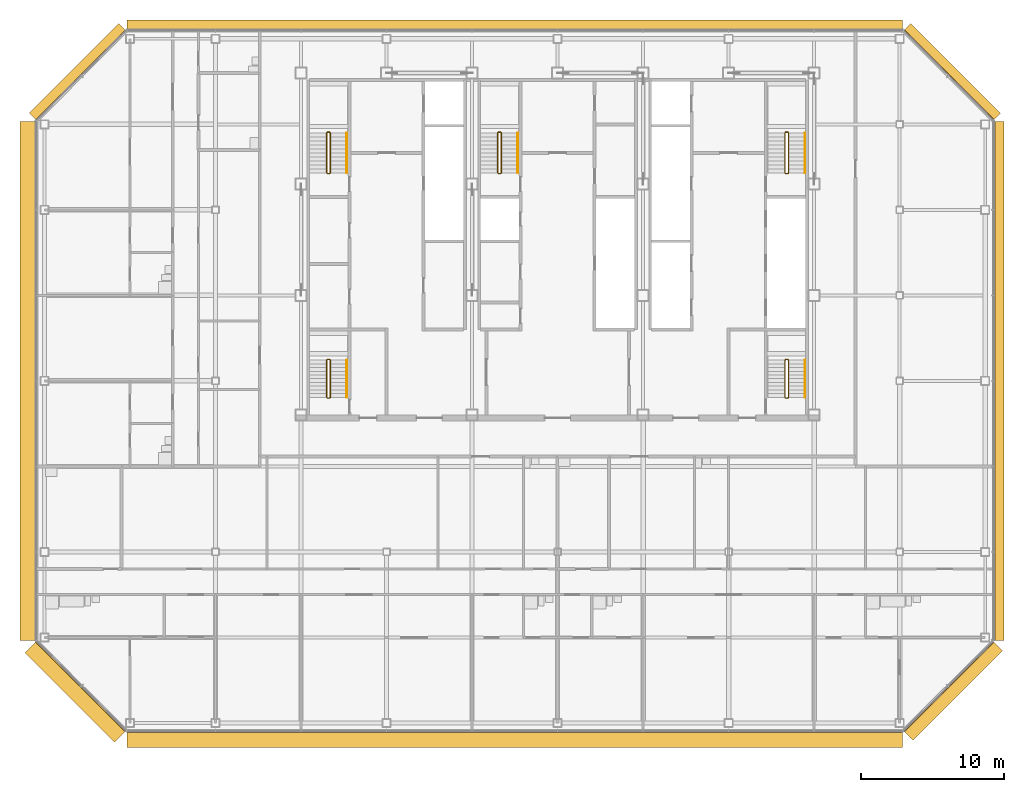
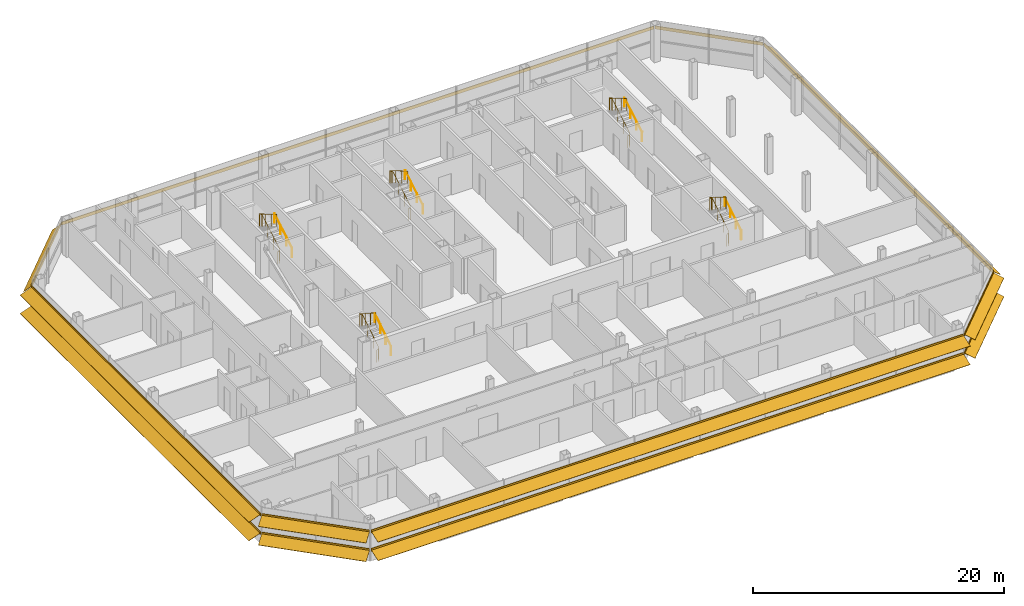
# One storey, part 27 of 28: 10 railings, 8 shading devices.
"""IFC4 building model written with IfcOpenShell, lengths in metres."""

from ifc_helpers import new_model, si_unit, direction, frame, origin, origin_2d, place, context, subcontext, project, spatial, polyline, circle, outline, composite_profile, extrude, material, type_object, element, save


model = new_model("IFC4")

# Units and contexts
model_context = context("Model", 3, precision=1e-05, world=origin(), true_north=direction((0.0, 1.0)))
body_context = subcontext(model_context, "Body", "Model", "MODEL_VIEW")
ifc_project = project(units=[si_unit("LENGTHUNIT", "METRE"), si_unit("AREAUNIT", "SQUARE_METRE"), si_unit("VOLUMEUNIT", "CUBIC_METRE"), si_unit("PLANEANGLEUNIT", "RADIAN"), si_unit("MASSUNIT", "GRAM", prefix="KILO")], contexts=[model_context])

# Site, building, storey
site_placement = place(None, origin())
site = spatial("IfcSite", under=ifc_project, at=site_placement, CompositionType="ELEMENT")
building_placement = place(site_placement, origin())
building = spatial("IfcBuilding", under=site, at=building_placement, Name="Sorahane Residences", CompositionType="ELEMENT")
storey_placement = place(building_placement, frame((0.0, 0.0, 270.199951171875)))
storey = spatial("IfcBuildingStorey", under=building, at=storey_placement, Name="L64", CompositionType="ELEMENT", Elevation=270.199951171875)

# Shading devices
ifc_material_1 = material(Name="Terracotta anodised aluminium", Category="masonry")
shading_device_type_1 = type_object("IfcShadingDeviceType", Name="Louvre sunshade blade E terracotta aluminium 700", PredefinedType="JALOUSIE", material=ifc_material_1)
shading_device_1_placement = place(storey_placement, frame((54.60009765625, 5.801513671875, 2.699951171875), z_axis=(0.0, 1.0, 0.0), x_axis=(-1.0, 0.0, 0.0)))
element("IfcShadingDevice", 1, at=shading_device_1_placement, inside=storey, type_object=shading_device_type_1, Name="Louvre sunshade blade bank E L64 E1", PredefinedType="JALOUSIE", context=body_context, shape_type="SweptSolid", body=[
    extrude(outline(polyline([(-0.719970703125, -0.49365234375), (-0.719970703125, -0.523681640625), (-0.080078125, -0.05859375), (-0.080078125, -0.14990234375), (-0.02001953125, -0.14990234375), (-0.02001953125, -0.014892578125), (-0.02001953125, 0.014892578125), (-0.02001953125, 0.14990234375), (-0.080078125, 0.14990234375), (-0.080078125, -0.028564453125), (-0.719970703125, -0.49365234375)])), origin(), (0.0, 0.0, 1.0), 36.39697265625),
])
ifc_material_2 = material(Name="Terracotta anodised aluminium", Category="masonry")
shading_device_type_2 = type_object("IfcShadingDeviceType", Name="Louvre sunshade blade N terracotta aluminium 700", PredefinedType="JALOUSIE", material=ifc_material_2)
shading_device_2_placement = place(storey_placement, frame((48.198486328125, 48.60009765625, 2.699951171875), z_axis=(-1.0, 0.0, 0.0), x_axis=(0.0, -1.0, 0.0)))
element("IfcShadingDevice", 2, at=shading_device_2_placement, inside=storey, type_object=shading_device_type_2, Name="Louvre sunshade blade bank N L64 N1", PredefinedType="JALOUSIE", context=body_context, shape_type="SweptSolid", body=[
    extrude(outline(polyline([(-0.719970703125, -0.660888671875), (-0.719970703125, -0.69091796875), (-0.080078125, -0.072998046875), (-0.080078125, -0.14990234375), (-0.02001953125, -0.14990234375), (-0.02001953125, -0.014892578125), (-0.02001953125, 0.014892578125), (-0.02001953125, 0.14990234375), (-0.080078125, 0.14990234375), (-0.080078125, -0.04296875), (-0.719970703125, -0.660888671875)])), origin(), (0.0, 0.0, 1.0), 54.39697265625),
])
ifc_material_3 = material(Name="Terracotta anodised aluminium", Category="masonry")
shading_device_type_3 = type_object("IfcShadingDeviceType", Name="Louvre sunshade blade NE terracotta aluminium 700", PredefinedType="JALOUSIE", material=ifc_material_3)
shading_device_3_placement = place(storey_placement, frame((54.564697265625, 42.283935546875, 2.699951171875), z_axis=(-0.707106781187, 0.707106781187, 0.0), x_axis=(-0.707106781187, -0.707106781187, 0.0)))
element("IfcShadingDevice", 3, at=shading_device_3_placement, inside=storey, type_object=shading_device_type_3, Name="Louvre sunshade blade bank NE L64 NE1", PredefinedType="JALOUSIE", context=body_context, shape_type="SweptSolid", body=[
    extrude(outline(polyline([(-0.719970703125, -0.572509765625), (-0.719970703125, -0.602294921875), (-0.080078125, -0.065185546875), (-0.080078125, -0.14990234375), (-0.02001953125, -0.14990234375), (-0.02001953125, -0.014892578125), (-0.02001953125, 0.014892578125), (-0.02001953125, 0.14990234375), (-0.080078125, 0.14990234375), (-0.080078125, -0.035400390625), (-0.719970703125, -0.572509765625)])), origin(), (0.0, 0.0, 1.0), 8.88232421875),
])
ifc_material_4 = material(Name="Terracotta anodised aluminium", Category="masonry")
shading_device_type_4 = type_object("IfcShadingDeviceType", Name="Louvre sunshade blade NW terracotta aluminium 700", PredefinedType="JALOUSIE", material=ifc_material_4)
shading_device_4_placement = place(storey_placement, frame((-6.283935546875, 48.564697265625, 2.699951171875), z_axis=(-0.707106781187, -0.707106781187, 0.0), x_axis=(0.707106781187, -0.707106781187, 0.0)))
element("IfcShadingDevice", 4, at=shading_device_4_placement, inside=storey, type_object=shading_device_type_4, Name="Louvre sunshade blade bank NW L64 NW1", PredefinedType="JALOUSIE", context=body_context, shape_type="SweptSolid", body=[
    extrude(outline(polyline([(-0.719970703125, -0.660888671875), (-0.719970703125, -0.69091796875), (-0.080078125, -0.072998046875), (-0.080078125, -0.14990234375), (-0.02001953125, -0.14990234375), (-0.02001953125, -0.014892578125), (-0.02001953125, 0.014892578125), (-0.02001953125, 0.14990234375), (-0.080078125, 0.14990234375), (-0.080078125, -0.04296875), (-0.719970703125, -0.660888671875)])), origin(), (0.0, 0.0, 1.0), 8.88232421875),
])
ifc_material_5 = material(Name="Terracotta anodised aluminium", Category="masonry")
shading_device_type_5 = type_object("IfcShadingDeviceType", Name="Louvre sunshade blade S terracotta aluminium 1100", PredefinedType="JALOUSIE", material=ifc_material_5)
shading_device_5_placement = place(storey_placement, frame((-6.198486328125, -0.60009765625, 0.900146484375), z_axis=(1.0, 0.0, 0.0), x_axis=(0.0, 1.0, 0.0)))
element("IfcShadingDevice", 5, at=shading_device_5_placement, inside=storey, type_object=shading_device_type_5, Name="Louvre sunshade blade bank S L64 S1", PredefinedType="JALOUSIE", context=body_context, shape_type="SweptSolid", body=[
    extrude(composite_profile([outline(polyline([(-1.1201171875, -0.385498046875), (-1.1201171875, -0.415283203125), (-0.080078125, -0.036865234375), (-0.080078125, -0.14990234375), (-0.02001953125, -0.14990234375), (-0.02001953125, -0.014892578125), (-0.02001953125, 0.014892578125), (-0.02001953125, 0.14990234375), (-0.080078125, 0.14990234375), (-0.080078125, -0.0068359375), (-1.1201171875, -0.385498046875)])), outline(polyline([(-1.1201171875, 1.41455078125), (-1.1201171875, 1.384521484375), (-0.080078125, 1.76318359375), (-0.080078125, 1.64990234375), (-0.02001953125, 1.64990234375), (-0.02001953125, 1.784912109375), (-0.02001953125, 1.81494140625), (-0.02001953125, 1.949951171875), (-0.080078125, 1.949951171875), (-0.080078125, 1.793212890625), (-1.1201171875, 1.41455078125)]))]), origin(), (0.0, 0.0, 1.0), 54.39697265625),
])
ifc_material_6 = material(Name="Terracotta anodised aluminium", Category="masonry")
shading_device_type_6 = type_object("IfcShadingDeviceType", Name="Louvre sunshade blade SE terracotta aluminium 900", PredefinedType="JALOUSIE", material=ifc_material_6)
shading_device_6_placement = place(storey_placement, frame((48.283935546875, -0.564697265625, 0.900146484375), z_axis=(0.707106781187, 0.707106781187, 0.0), x_axis=(-0.707106781187, 0.707106781187, 0.0)))
element("IfcShadingDevice", 6, at=shading_device_6_placement, inside=storey, type_object=shading_device_type_6, Name="Louvre sunshade blade bank SE L64 SE1", PredefinedType="JALOUSIE", context=body_context, shape_type="SweptSolid", body=[
    extrude(composite_profile([outline(polyline([(-0.919921875, -0.3486328125), (-0.919921875, -0.378662109375), (-0.080078125, -0.039306640625), (-0.080078125, -0.14990234375), (-0.02001953125, -0.14990234375), (-0.02001953125, -0.014892578125), (-0.02001953125, 0.014892578125), (-0.02001953125, 0.14990234375), (-0.080078125, 0.14990234375), (-0.080078125, -0.00927734375), (-0.919921875, -0.3486328125)])), outline(polyline([(-0.919921875, 1.451416015625), (-0.919921875, 1.42138671875), (-0.080078125, 1.7607421875), (-0.080078125, 1.64990234375), (-0.02001953125, 1.64990234375), (-0.02001953125, 1.784912109375), (-0.02001953125, 1.81494140625), (-0.02001953125, 1.949951171875), (-0.080078125, 1.949951171875), (-0.080078125, 1.790771484375), (-0.919921875, 1.451416015625)]))]), origin(), (0.0, 0.0, 1.0), 8.88232421875),
])
ifc_material_7 = material(Name="Terracotta anodised aluminium", Category="masonry")
shading_device_type_7 = type_object("IfcShadingDeviceType", Name="Louvre sunshade blade SW terracotta aluminium 1100", PredefinedType="JALOUSIE", material=ifc_material_7)
shading_device_7_placement = place(storey_placement, frame((-12.564697265625, 5.716064453125, 0.900146484375), z_axis=(0.707106781187, -0.707106781187, 0.0), x_axis=(0.707106781187, 0.707106781187, 0.0)))
element("IfcShadingDevice", 7, at=shading_device_7_placement, inside=storey, type_object=shading_device_type_7, Name="Louvre sunshade blade bank SW L64 SW1", PredefinedType="JALOUSIE", context=body_context, shape_type="SweptSolid", body=[
    extrude(composite_profile([outline(polyline([(-1.1201171875, -0.385498046875), (-1.1201171875, -0.415283203125), (-0.080078125, -0.036865234375), (-0.080078125, -0.14990234375), (-0.02001953125, -0.14990234375), (-0.02001953125, -0.014892578125), (-0.02001953125, 0.014892578125), (-0.02001953125, 0.14990234375), (-0.080078125, 0.14990234375), (-0.080078125, -0.0068359375), (-1.1201171875, -0.385498046875)])), outline(polyline([(-1.1201171875, 1.41455078125), (-1.1201171875, 1.384521484375), (-0.080078125, 1.76318359375), (-0.080078125, 1.64990234375), (-0.02001953125, 1.64990234375), (-0.02001953125, 1.784912109375), (-0.02001953125, 1.81494140625), (-0.02001953125, 1.949951171875), (-0.080078125, 1.949951171875), (-0.080078125, 1.793212890625), (-1.1201171875, 1.41455078125)]))]), origin(), (0.0, 0.0, 1.0), 8.88232421875),
])
ifc_material_8 = material(Name="Terracotta anodised aluminium", Category="masonry")
shading_device_type_8 = type_object("IfcShadingDeviceType", Name="Louvre sunshade blade W terracotta aluminium 1100", PredefinedType="JALOUSIE", material=ifc_material_8)
shading_device_8_placement = place(storey_placement, frame((-12.60009765625, 42.198486328125, 0.900146484375), z_axis=(0.0, -1.0, 0.0), x_axis=(1.0, 0.0, 0.0)))
element("IfcShadingDevice", 8, at=shading_device_8_placement, inside=storey, type_object=shading_device_type_8, Name="Louvre sunshade blade bank W L64 W1", PredefinedType="JALOUSIE", context=body_context, shape_type="SweptSolid", body=[
    extrude(composite_profile([outline(polyline([(-1.1201171875, -0.385498046875), (-1.1201171875, -0.415283203125), (-0.080078125, -0.036865234375), (-0.080078125, -0.14990234375), (-0.02001953125, -0.14990234375), (-0.02001953125, -0.014892578125), (-0.02001953125, 0.014892578125), (-0.02001953125, 0.14990234375), (-0.080078125, 0.14990234375), (-0.080078125, -0.0068359375), (-1.1201171875, -0.385498046875)])), outline(polyline([(-1.1201171875, 1.41455078125), (-1.1201171875, 1.384521484375), (-0.080078125, 1.76318359375), (-0.080078125, 1.64990234375), (-0.02001953125, 1.64990234375), (-0.02001953125, 1.784912109375), (-0.02001953125, 1.81494140625), (-0.02001953125, 1.949951171875), (-0.080078125, 1.949951171875), (-0.080078125, 1.793212890625), (-1.1201171875, 1.41455078125)]))]), origin(), (0.0, 0.0, 1.0), 36.39697265625),
])

# Railings
ifc_material_9 = material(Name="Steel Q355B", Category="steel")
railing_type_1 = type_object("IfcRailingType", Name="Stair guard 1200 Steel Q355B", PredefinedType="GUARDRAIL", material=ifc_material_9)
railing_1_placement = place(storey_placement, frame((7.85009765625, 38.550048828125, 0.0)))
element("IfcRailing", 9, at=railing_1_placement, inside=storey, type_object=railing_type_1, Name="L64 S1 stair guard 1", PredefinedType="GUARDRAIL", context=body_context, shape_type="SweptSolid", body=[
    extrude(circle(Radius=0.02392578125, at=origin_2d()), frame((0.0, 0.0, 1.17578125), z_axis=(1.0, 0.0, 0.0), x_axis=(0.0, 1.0, 0.0)), (0.0, 0.0, 1.0), 0.14990234375),
    extrude(circle(Radius=0.02392578125, at=origin_2d()), frame((0.14990234375, 0.0, 1.17578125), z_axis=(0.280808744504, 0.280808744504, 0.917765164963), x_axis=(-0.707106781187, 0.707106781187, 0.0)), (0.0, 0.0, 1.0), 0.17822265625),
    extrude(circle(Radius=0.02392578125, at=origin_2d()), frame((0.199951171875, 0.050048828125, 1.33935546875), z_axis=(0.0, 0.863341702679, 0.504619762213), x_axis=(-1.0, 0.0, 0.0)), (0.0, 0.0, 1.0), 3.242919921875),
    extrude(circle(Radius=0.02392578125, at=origin_2d()), frame((0.199951171875, 2.849853515625, 2.97607421875), z_axis=(-0.707106781187, 0.707106781187, 0.0), x_axis=(-0.707106781187, -0.707106781187, 0.0)), (0.0, 0.0, 1.0), 0.07080078125),
    extrude(circle(Radius=0.02392578125, at=origin_2d()), frame((0.14990234375, 2.89990234375, 2.97607421875), z_axis=(-1.0, 0.0, 0.0), x_axis=(0.0, -1.0, 0.0)), (0.0, 0.0, 1.0), 0.14990234375),
    extrude(circle(Radius=0.02392578125, at=origin_2d()), frame((0.0, 2.89990234375, 2.97607421875), z_axis=(-0.280808744504, -0.280808744504, 0.917765164963), x_axis=(0.707106781187, -0.707106781187, 0.0)), (0.0, 0.0, 1.0), 0.17822265625),
    extrude(circle(Radius=0.02392578125, at=origin_2d()), frame((-0.050048828125, 2.849853515625, 3.1396484375), z_axis=(0.0, -0.863341702679, 0.504619762213), x_axis=(1.0, 0.0, 0.0)), (0.0, 0.0, 1.0), 3.242919921875),
    extrude(circle(Radius=0.02099609375, at=origin_2d()), origin(), (0.0, 0.0, 1.0), 1.15185546875),
    extrude(circle(Radius=0.02099609375, at=origin_2d()), frame((0.14990234375, 0.0, 0.0)), (0.0, 0.0, 1.0), 1.15185546875),
    extrude(circle(Radius=0.02099609375, at=origin_2d()), frame((0.199951171875, 0.050048828125, 0.16357421875)), (0.0, 0.0, 1.0), 1.15185546875),
    extrude(circle(Radius=0.02099609375, at=origin_2d()), frame((0.199951171875, 0.9833984375, 0.708984375)), (0.0, 0.0, 1.0), 1.15185546875),
    extrude(circle(Radius=0.02099609375, at=origin_2d()), frame((0.199951171875, 1.91650390625, 1.254638671875)), (0.0, 0.0, 1.0), 1.15185546875),
    extrude(circle(Radius=0.02099609375, at=origin_2d()), frame((0.199951171875, 2.849853515625, 1.800048828125)), (0.0, 0.0, 1.0), 1.15185546875),
    extrude(circle(Radius=0.02099609375, at=origin_2d()), frame((0.14990234375, 2.89990234375, 1.800048828125)), (0.0, 0.0, 1.0), 1.15185546875),
    extrude(circle(Radius=0.02099609375, at=origin_2d()), frame((0.0, 2.89990234375, 1.800048828125)), (0.0, 0.0, 1.0), 1.15185546875),
    extrude(circle(Radius=0.02099609375, at=origin_2d()), frame((-0.050048828125, 2.849853515625, 1.963623046875)), (0.0, 0.0, 1.0), 1.15185546875),
    extrude(circle(Radius=0.02099609375, at=origin_2d()), frame((-0.050048828125, 1.91650390625, 2.509033203125)), (0.0, 0.0, 1.0), 1.15185546875),
    extrude(circle(Radius=0.02099609375, at=origin_2d()), frame((-0.050048828125, 0.9833984375, 3.0546875)), (0.0, 0.0, 1.0), 1.15185546875),
    extrude(circle(Radius=0.02099609375, at=origin_2d()), frame((-0.050048828125, 0.050048828125, 3.60009765625)), (0.0, 0.0, 1.0), 1.15185546875),
])
railing_2_placement = place(storey_placement, frame((40.0, 38.550048828125, 0.0)))
element("IfcRailing", 10, at=railing_2_placement, inside=storey, type_object=railing_type_1, Name="L64 S2 stair guard 1", PredefinedType="GUARDRAIL", context=body_context, shape_type="SweptSolid", body=[
    extrude(circle(Radius=0.02392578125, at=origin_2d()), frame((0.0, 0.0, 1.17578125), z_axis=(1.0, 0.0, 0.0), x_axis=(0.0, 1.0, 0.0)), (0.0, 0.0, 1.0), 0.14990234375),
    extrude(circle(Radius=0.02392578125, at=origin_2d()), frame((0.14990234375, 0.0, 1.17578125), z_axis=(0.280808744504, 0.280808744504, 0.917765164963), x_axis=(-0.707106781187, 0.707106781187, 0.0)), (0.0, 0.0, 1.0), 0.17822265625),
    extrude(circle(Radius=0.02392578125, at=origin_2d()), frame((0.199951171875, 0.050048828125, 1.33935546875), z_axis=(0.0, 0.863341702679, 0.504619762213), x_axis=(-1.0, 0.0, 0.0)), (0.0, 0.0, 1.0), 3.242919921875),
    extrude(circle(Radius=0.02392578125, at=origin_2d()), frame((0.199951171875, 2.849853515625, 2.97607421875), z_axis=(-0.707106781187, 0.707106781187, 0.0), x_axis=(-0.707106781187, -0.707106781187, 0.0)), (0.0, 0.0, 1.0), 0.07080078125),
    extrude(circle(Radius=0.02392578125, at=origin_2d()), frame((0.14990234375, 2.89990234375, 2.97607421875), z_axis=(-1.0, 0.0, 0.0), x_axis=(0.0, -1.0, 0.0)), (0.0, 0.0, 1.0), 0.14990234375),
    extrude(circle(Radius=0.02392578125, at=origin_2d()), frame((0.0, 2.89990234375, 2.97607421875), z_axis=(-0.280808744504, -0.280808744504, 0.917765164963), x_axis=(0.707106781187, -0.707106781187, 0.0)), (0.0, 0.0, 1.0), 0.17822265625),
    extrude(circle(Radius=0.02392578125, at=origin_2d()), frame((-0.050048828125, 2.849853515625, 3.1396484375), z_axis=(0.0, -0.863341702679, 0.504619762213), x_axis=(1.0, 0.0, 0.0)), (0.0, 0.0, 1.0), 3.242919921875),
    extrude(circle(Radius=0.02099609375, at=origin_2d()), origin(), (0.0, 0.0, 1.0), 1.15185546875),
    extrude(circle(Radius=0.02099609375, at=origin_2d()), frame((0.14990234375, 0.0, 0.0)), (0.0, 0.0, 1.0), 1.15185546875),
    extrude(circle(Radius=0.02099609375, at=origin_2d()), frame((0.199951171875, 0.050048828125, 0.16357421875)), (0.0, 0.0, 1.0), 1.15185546875),
    extrude(circle(Radius=0.02099609375, at=origin_2d()), frame((0.199951171875, 0.9833984375, 0.708984375)), (0.0, 0.0, 1.0), 1.15185546875),
    extrude(circle(Radius=0.02099609375, at=origin_2d()), frame((0.199951171875, 1.91650390625, 1.254638671875)), (0.0, 0.0, 1.0), 1.15185546875),
    extrude(circle(Radius=0.02099609375, at=origin_2d()), frame((0.199951171875, 2.849853515625, 1.800048828125)), (0.0, 0.0, 1.0), 1.15185546875),
    extrude(circle(Radius=0.02099609375, at=origin_2d()), frame((0.14990234375, 2.89990234375, 1.800048828125)), (0.0, 0.0, 1.0), 1.15185546875),
    extrude(circle(Radius=0.02099609375, at=origin_2d()), frame((0.0, 2.89990234375, 1.800048828125)), (0.0, 0.0, 1.0), 1.15185546875),
    extrude(circle(Radius=0.02099609375, at=origin_2d()), frame((-0.050048828125, 2.849853515625, 1.963623046875)), (0.0, 0.0, 1.0), 1.15185546875),
    extrude(circle(Radius=0.02099609375, at=origin_2d()), frame((-0.050048828125, 1.91650390625, 2.509033203125)), (0.0, 0.0, 1.0), 1.15185546875),
    extrude(circle(Radius=0.02099609375, at=origin_2d()), frame((-0.050048828125, 0.9833984375, 3.0546875)), (0.0, 0.0, 1.0), 1.15185546875),
    extrude(circle(Radius=0.02099609375, at=origin_2d()), frame((-0.050048828125, 0.050048828125, 3.60009765625)), (0.0, 0.0, 1.0), 1.15185546875),
])
railing_3_placement = place(storey_placement, frame((19.85009765625, 38.550048828125, 0.0)))
element("IfcRailing", 11, at=railing_3_placement, inside=storey, type_object=railing_type_1, Name="L64 S3 stair guard 1", PredefinedType="GUARDRAIL", context=body_context, shape_type="SweptSolid", body=[
    extrude(circle(Radius=0.02392578125, at=origin_2d()), frame((0.0, 0.0, 1.17578125), z_axis=(1.0, 0.0, 0.0), x_axis=(0.0, 1.0, 0.0)), (0.0, 0.0, 1.0), 0.14990234375),
    extrude(circle(Radius=0.02392578125, at=origin_2d()), frame((0.14990234375, 0.0, 1.17578125), z_axis=(0.280808744504, 0.280808744504, 0.917765164963), x_axis=(-0.707106781187, 0.707106781187, 0.0)), (0.0, 0.0, 1.0), 0.17822265625),
    extrude(circle(Radius=0.02392578125, at=origin_2d()), frame((0.199951171875, 0.050048828125, 1.33935546875), z_axis=(0.0, 0.863341702679, 0.504619762213), x_axis=(-1.0, 0.0, 0.0)), (0.0, 0.0, 1.0), 3.242919921875),
    extrude(circle(Radius=0.02392578125, at=origin_2d()), frame((0.199951171875, 2.849853515625, 2.97607421875), z_axis=(-0.707106781187, 0.707106781187, 0.0), x_axis=(-0.707106781187, -0.707106781187, 0.0)), (0.0, 0.0, 1.0), 0.07080078125),
    extrude(circle(Radius=0.02392578125, at=origin_2d()), frame((0.14990234375, 2.89990234375, 2.97607421875), z_axis=(-1.0, 0.0, 0.0), x_axis=(0.0, -1.0, 0.0)), (0.0, 0.0, 1.0), 0.14990234375),
    extrude(circle(Radius=0.02392578125, at=origin_2d()), frame((0.0, 2.89990234375, 2.97607421875), z_axis=(-0.280808744504, -0.280808744504, 0.917765164963), x_axis=(0.707106781187, -0.707106781187, 0.0)), (0.0, 0.0, 1.0), 0.17822265625),
    extrude(circle(Radius=0.02392578125, at=origin_2d()), frame((-0.050048828125, 2.849853515625, 3.1396484375), z_axis=(0.0, -0.863341702679, 0.504619762213), x_axis=(1.0, 0.0, 0.0)), (0.0, 0.0, 1.0), 3.242919921875),
    extrude(circle(Radius=0.02099609375, at=origin_2d()), origin(), (0.0, 0.0, 1.0), 1.15185546875),
    extrude(circle(Radius=0.02099609375, at=origin_2d()), frame((0.14990234375, 0.0, 0.0)), (0.0, 0.0, 1.0), 1.15185546875),
    extrude(circle(Radius=0.02099609375, at=origin_2d()), frame((0.199951171875, 0.050048828125, 0.16357421875)), (0.0, 0.0, 1.0), 1.15185546875),
    extrude(circle(Radius=0.02099609375, at=origin_2d()), frame((0.199951171875, 0.9833984375, 0.708984375)), (0.0, 0.0, 1.0), 1.15185546875),
    extrude(circle(Radius=0.02099609375, at=origin_2d()), frame((0.199951171875, 1.91650390625, 1.254638671875)), (0.0, 0.0, 1.0), 1.15185546875),
    extrude(circle(Radius=0.02099609375, at=origin_2d()), frame((0.199951171875, 2.849853515625, 1.800048828125)), (0.0, 0.0, 1.0), 1.15185546875),
    extrude(circle(Radius=0.02099609375, at=origin_2d()), frame((0.14990234375, 2.89990234375, 1.800048828125)), (0.0, 0.0, 1.0), 1.15185546875),
    extrude(circle(Radius=0.02099609375, at=origin_2d()), frame((0.0, 2.89990234375, 1.800048828125)), (0.0, 0.0, 1.0), 1.15185546875),
    extrude(circle(Radius=0.02099609375, at=origin_2d()), frame((-0.050048828125, 2.849853515625, 1.963623046875)), (0.0, 0.0, 1.0), 1.15185546875),
    extrude(circle(Radius=0.02099609375, at=origin_2d()), frame((-0.050048828125, 1.91650390625, 2.509033203125)), (0.0, 0.0, 1.0), 1.15185546875),
    extrude(circle(Radius=0.02099609375, at=origin_2d()), frame((-0.050048828125, 0.9833984375, 3.0546875)), (0.0, 0.0, 1.0), 1.15185546875),
    extrude(circle(Radius=0.02099609375, at=origin_2d()), frame((-0.050048828125, 0.050048828125, 3.60009765625)), (0.0, 0.0, 1.0), 1.15185546875),
])
railing_4_placement = place(storey_placement, frame((7.85009765625, 22.800048828125, 0.0)))
element("IfcRailing", 12, at=railing_4_placement, inside=storey, type_object=railing_type_1, Name="L64 S4 stair guard 1", PredefinedType="GUARDRAIL", context=body_context, shape_type="SweptSolid", body=[
    extrude(circle(Radius=0.02392578125, at=origin_2d()), frame((0.0, 0.0, 1.17578125), z_axis=(1.0, 0.0, 0.0), x_axis=(0.0, 1.0, 0.0)), (0.0, 0.0, 1.0), 0.14990234375),
    extrude(circle(Radius=0.02392578125, at=origin_2d()), frame((0.14990234375, 0.0, 1.17578125), z_axis=(0.280808744504, 0.280808744504, 0.917765164963), x_axis=(-0.707106781187, 0.707106781187, 0.0)), (0.0, 0.0, 1.0), 0.17822265625),
    extrude(circle(Radius=0.02392578125, at=origin_2d()), frame((0.199951171875, 0.050048828125, 1.33935546875), z_axis=(0.0, 0.846301844409, 0.532703658848), x_axis=(-1.0, 0.0, 0.0)), (0.0, 0.0, 1.0), 3.072021484375),
    extrude(circle(Radius=0.02392578125, at=origin_2d()), frame((0.199951171875, 2.64990234375, 2.97607421875), z_axis=(-0.707106781187, 0.707106781187, 0.0), x_axis=(-0.707106781187, -0.707106781187, 0.0)), (0.0, 0.0, 1.0), 0.07080078125),
    extrude(circle(Radius=0.02392578125, at=origin_2d()), frame((0.14990234375, 2.699951171875, 2.97607421875), z_axis=(-1.0, 0.0, 0.0), x_axis=(0.0, -1.0, 0.0)), (0.0, 0.0, 1.0), 0.14990234375),
    extrude(circle(Radius=0.02392578125, at=origin_2d()), frame((0.0, 2.699951171875, 2.97607421875), z_axis=(-0.280808744504, -0.280808744504, 0.917765164963), x_axis=(0.707106781187, -0.707106781187, 0.0)), (0.0, 0.0, 1.0), 0.17822265625),
    extrude(circle(Radius=0.02392578125, at=origin_2d()), frame((-0.050048828125, 2.64990234375, 3.1396484375), z_axis=(0.0, -0.846301844409, 0.532703658848), x_axis=(1.0, 0.0, 0.0)), (0.0, 0.0, 1.0), 3.072021484375),
    extrude(circle(Radius=0.02099609375, at=origin_2d()), origin(), (0.0, 0.0, 1.0), 1.15185546875),
    extrude(circle(Radius=0.02099609375, at=origin_2d()), frame((0.14990234375, 0.0, 0.0)), (0.0, 0.0, 1.0), 1.15185546875),
    extrude(circle(Radius=0.02099609375, at=origin_2d()), frame((0.199951171875, 0.050048828125, 0.16357421875)), (0.0, 0.0, 1.0), 1.15185546875),
    extrude(circle(Radius=0.02099609375, at=origin_2d()), frame((0.199951171875, 0.916748046875, 0.708984375)), (0.0, 0.0, 1.0), 1.15185546875),
    extrude(circle(Radius=0.02099609375, at=origin_2d()), frame((0.199951171875, 1.783203125, 1.254638671875)), (0.0, 0.0, 1.0), 1.15185546875),
    extrude(circle(Radius=0.02099609375, at=origin_2d()), frame((0.199951171875, 2.64990234375, 1.800048828125)), (0.0, 0.0, 1.0), 1.15185546875),
    extrude(circle(Radius=0.02099609375, at=origin_2d()), frame((0.14990234375, 2.699951171875, 1.800048828125)), (0.0, 0.0, 1.0), 1.15185546875),
    extrude(circle(Radius=0.02099609375, at=origin_2d()), frame((0.0, 2.699951171875, 1.800048828125)), (0.0, 0.0, 1.0), 1.15185546875),
    extrude(circle(Radius=0.02099609375, at=origin_2d()), frame((-0.050048828125, 2.64990234375, 1.963623046875)), (0.0, 0.0, 1.0), 1.15185546875),
    extrude(circle(Radius=0.02099609375, at=origin_2d()), frame((-0.050048828125, 1.783203125, 2.509033203125)), (0.0, 0.0, 1.0), 1.15185546875),
    extrude(circle(Radius=0.02099609375, at=origin_2d()), frame((-0.050048828125, 0.916748046875, 3.0546875)), (0.0, 0.0, 1.0), 1.15185546875),
    extrude(circle(Radius=0.02099609375, at=origin_2d()), frame((-0.050048828125, 0.050048828125, 3.60009765625)), (0.0, 0.0, 1.0), 1.15185546875),
])
railing_5_placement = place(storey_placement, frame((40.0, 22.800048828125, 0.0)))
element("IfcRailing", 13, at=railing_5_placement, inside=storey, type_object=railing_type_1, Name="L64 S5 stair guard 1", PredefinedType="GUARDRAIL", context=body_context, shape_type="SweptSolid", body=[
    extrude(circle(Radius=0.02392578125, at=origin_2d()), frame((0.0, 0.0, 1.17578125), z_axis=(1.0, 0.0, 0.0), x_axis=(0.0, 1.0, 0.0)), (0.0, 0.0, 1.0), 0.14990234375),
    extrude(circle(Radius=0.02392578125, at=origin_2d()), frame((0.14990234375, 0.0, 1.17578125), z_axis=(0.280808744504, 0.280808744504, 0.917765164963), x_axis=(-0.707106781187, 0.707106781187, 0.0)), (0.0, 0.0, 1.0), 0.17822265625),
    extrude(circle(Radius=0.02392578125, at=origin_2d()), frame((0.199951171875, 0.050048828125, 1.33935546875), z_axis=(0.0, 0.846301844409, 0.532703658848), x_axis=(-1.0, 0.0, 0.0)), (0.0, 0.0, 1.0), 3.072021484375),
    extrude(circle(Radius=0.02392578125, at=origin_2d()), frame((0.199951171875, 2.64990234375, 2.97607421875), z_axis=(-0.707106781187, 0.707106781187, 0.0), x_axis=(-0.707106781187, -0.707106781187, 0.0)), (0.0, 0.0, 1.0), 0.07080078125),
    extrude(circle(Radius=0.02392578125, at=origin_2d()), frame((0.14990234375, 2.699951171875, 2.97607421875), z_axis=(-1.0, 0.0, 0.0), x_axis=(0.0, -1.0, 0.0)), (0.0, 0.0, 1.0), 0.14990234375),
    extrude(circle(Radius=0.02392578125, at=origin_2d()), frame((0.0, 2.699951171875, 2.97607421875), z_axis=(-0.280808744504, -0.280808744504, 0.917765164963), x_axis=(0.707106781187, -0.707106781187, 0.0)), (0.0, 0.0, 1.0), 0.17822265625),
    extrude(circle(Radius=0.02392578125, at=origin_2d()), frame((-0.050048828125, 2.64990234375, 3.1396484375), z_axis=(0.0, -0.846301844409, 0.532703658848), x_axis=(1.0, 0.0, 0.0)), (0.0, 0.0, 1.0), 3.072021484375),
    extrude(circle(Radius=0.02099609375, at=origin_2d()), origin(), (0.0, 0.0, 1.0), 1.15185546875),
    extrude(circle(Radius=0.02099609375, at=origin_2d()), frame((0.14990234375, 0.0, 0.0)), (0.0, 0.0, 1.0), 1.15185546875),
    extrude(circle(Radius=0.02099609375, at=origin_2d()), frame((0.199951171875, 0.050048828125, 0.16357421875)), (0.0, 0.0, 1.0), 1.15185546875),
    extrude(circle(Radius=0.02099609375, at=origin_2d()), frame((0.199951171875, 0.916748046875, 0.708984375)), (0.0, 0.0, 1.0), 1.15185546875),
    extrude(circle(Radius=0.02099609375, at=origin_2d()), frame((0.199951171875, 1.783203125, 1.254638671875)), (0.0, 0.0, 1.0), 1.15185546875),
    extrude(circle(Radius=0.02099609375, at=origin_2d()), frame((0.199951171875, 2.64990234375, 1.800048828125)), (0.0, 0.0, 1.0), 1.15185546875),
    extrude(circle(Radius=0.02099609375, at=origin_2d()), frame((0.14990234375, 2.699951171875, 1.800048828125)), (0.0, 0.0, 1.0), 1.15185546875),
    extrude(circle(Radius=0.02099609375, at=origin_2d()), frame((0.0, 2.699951171875, 1.800048828125)), (0.0, 0.0, 1.0), 1.15185546875),
    extrude(circle(Radius=0.02099609375, at=origin_2d()), frame((-0.050048828125, 2.64990234375, 1.963623046875)), (0.0, 0.0, 1.0), 1.15185546875),
    extrude(circle(Radius=0.02099609375, at=origin_2d()), frame((-0.050048828125, 1.783203125, 2.509033203125)), (0.0, 0.0, 1.0), 1.15185546875),
    extrude(circle(Radius=0.02099609375, at=origin_2d()), frame((-0.050048828125, 0.916748046875, 3.0546875)), (0.0, 0.0, 1.0), 1.15185546875),
    extrude(circle(Radius=0.02099609375, at=origin_2d()), frame((-0.050048828125, 0.050048828125, 3.60009765625)), (0.0, 0.0, 1.0), 1.15185546875),
])
ifc_material_10 = material(Name="Steel Q355B", Category="steel")
railing_type_2 = type_object("IfcRailingType", Name="Stair handrail 900 Steel Q355B", PredefinedType="HANDRAIL", material=ifc_material_10)
for number, where, name in (
    (14, (9.199951171875, 38.60009765625, 0.16357421875), "L64 S1 stair handrail 1"),
    (15, (41.35009765625, 38.60009765625, 0.16357421875), "L64 S2 stair handrail 1"),
    (16, (21.199951171875, 38.60009765625, 0.16357421875), "L64 S3 stair handrail 1"),
):
    element("IfcRailing", number, at=place(storey_placement, frame(where)), inside=storey, type_object=railing_type_2, Name=name, PredefinedType="HANDRAIL", context=body_context, shape_type="SweptSolid", body=[
        extrude(circle(Radius=0.02392578125, at=origin_2d()), frame((0.0, 0.0, 0.8759765625), z_axis=(0.0, 0.863341702679, 0.504619762213), x_axis=(-1.0, 0.0, 0.0)), (0.0, 0.0, 1.0), 3.242919921875),
        extrude(circle(Radius=0.02099609375, at=origin_2d()), origin(), (0.0, 0.0, 1.0), 0.851806640625),
        extrude(circle(Radius=0.02099609375, at=origin_2d()), frame((0.0, 0.933349609375, 0.54541015625)), (0.0, 0.0, 1.0), 0.851806640625),
        extrude(circle(Radius=0.02099609375, at=origin_2d()), frame((0.0, 1.866455078125, 1.091064453125)), (0.0, 0.0, 1.0), 0.851806640625),
        extrude(circle(Radius=0.02099609375, at=origin_2d()), frame((0.0, 2.7998046875, 1.636474609375)), (0.0, 0.0, 1.0), 0.851806640625),
    ])
for number, where, name in (
    (17, (9.199951171875, 22.85009765625, 0.16357421875), "L64 S4 stair handrail 1"),
    (18, (41.35009765625, 22.85009765625, 0.16357421875), "L64 S5 stair handrail 1"),
):
    element("IfcRailing", number, at=place(storey_placement, frame(where)), inside=storey, type_object=railing_type_2, Name=name, PredefinedType="HANDRAIL", context=body_context, shape_type="SweptSolid", body=[
        extrude(circle(Radius=0.02392578125, at=origin_2d()), frame((0.0, 0.0, 0.8759765625), z_axis=(0.0, 0.846301844409, 0.532703658848), x_axis=(-1.0, 0.0, 0.0)), (0.0, 0.0, 1.0), 3.072021484375),
        extrude(circle(Radius=0.02099609375, at=origin_2d()), origin(), (0.0, 0.0, 1.0), 0.851806640625),
        extrude(circle(Radius=0.02099609375, at=origin_2d()), frame((0.0, 0.86669921875, 0.54541015625)), (0.0, 0.0, 1.0), 0.851806640625),
        extrude(circle(Radius=0.02099609375, at=origin_2d()), frame((0.0, 1.733154296875, 1.091064453125)), (0.0, 0.0, 1.0), 0.851806640625),
        extrude(circle(Radius=0.02099609375, at=origin_2d()), frame((0.0, 2.599853515625, 1.636474609375)), (0.0, 0.0, 1.0), 0.851806640625),
    ])

save(model, "model.ifc")
